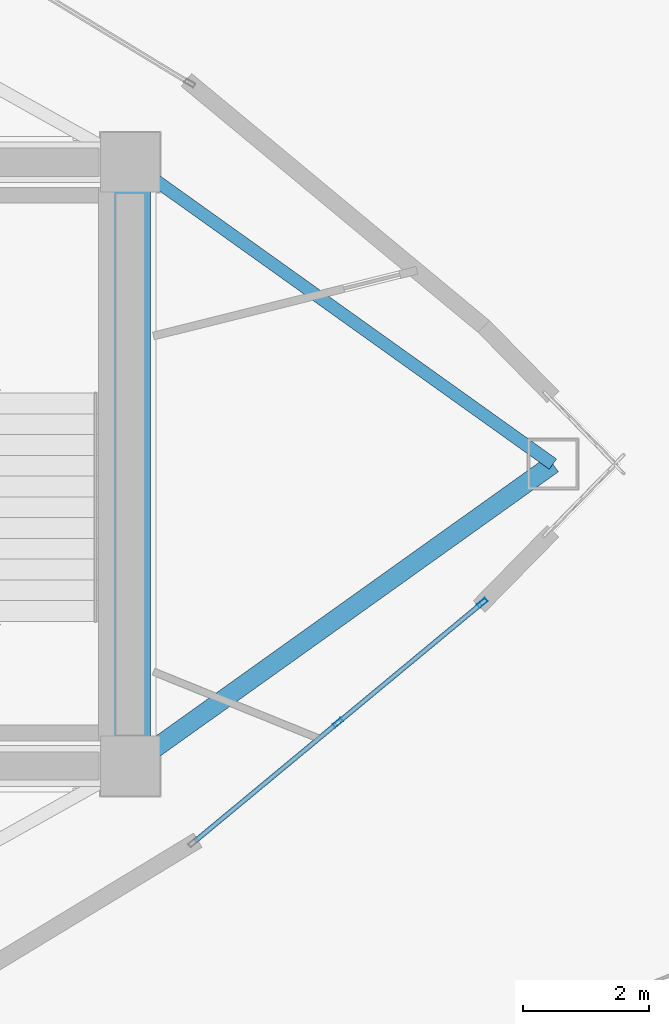
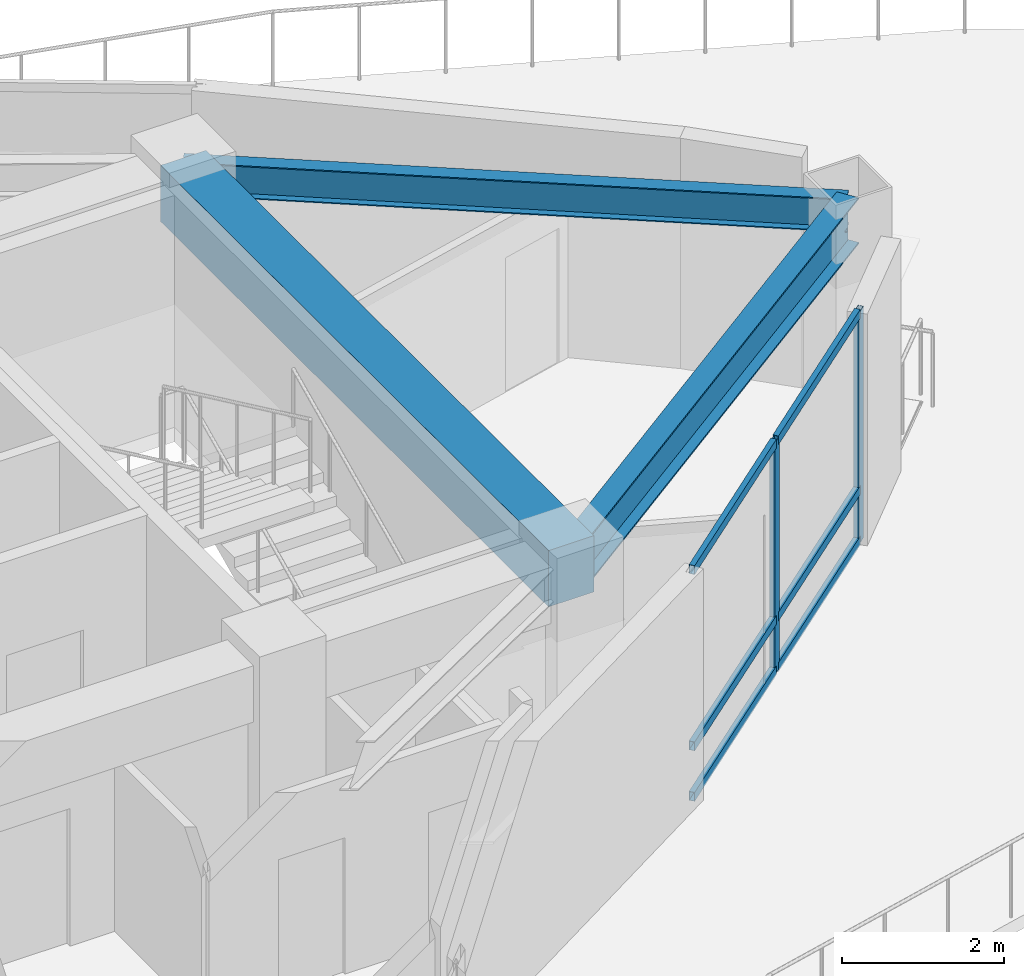
# One storey, part 6 of 16: 8 members, 3 beams, 1 element without a shape of its own.
"""IFC4 building model written with IfcOpenShell, lengths in metres."""

from ifc_helpers import new_model, si_unit, direction, frame, origin, origin_2d, place, context, subcontext, project, spatial, rectangle, hollow_rectangle, i_section, extrude, material, layer, layer_set, material_profile, profile_set, type_object, element, aggregate, save


model = new_model("IFC4")

# Units and contexts
model_context = context("Model", 3, precision=1e-05, world=origin(), true_north=direction((0.0, 1.0)))
body_context = subcontext(model_context, "Body", "Model", "MODEL_VIEW")
ifc_project = project(units=[si_unit("LENGTHUNIT", "METRE"), si_unit("AREAUNIT", "SQUARE_METRE"), si_unit("VOLUMEUNIT", "CUBIC_METRE"), si_unit("PLANEANGLEUNIT", "RADIAN"), si_unit("MASSUNIT", "GRAM", prefix="KILO")], contexts=[model_context])

# Site, building, storey
site_placement = place(None, origin())
site = spatial("IfcSite", under=ifc_project, at=site_placement, CompositionType="ELEMENT")
building_placement = place(site_placement, origin())
building = spatial("IfcBuilding", under=site, at=building_placement, Name="Menara Vayukalpa", CompositionType="ELEMENT")
storey_placement = place(building_placement, frame((0.0, 0.0, 247.139892578125)))
storey = spatial("IfcBuildingStorey", under=building, at=storey_placement, Name="L62", CompositionType="ELEMENT", Elevation=247.139892578125)

# Beams
ifc_material_1 = material(Name="Concrete C60/75", Category="concrete")
ifc_material_profile_1 = material_profile(ifc_material_1, rectangle(XDim=0.64990234375, YDim=0.85009765625, at=origin_2d()), Name="RC 650x850")
ifc_profile_set_1 = profile_set([ifc_material_profile_1], Name="Concrete C60/75")
beam_type_1 = type_object("IfcBeamType", Name="BM-CB1", PredefinedType="BEAM", material=ifc_profile_set_1)
beam_1_placement = place(storey_placement, frame((33.39990234375, 17.199951171875, 3.0751953125), z_axis=(0.0, 1.0, 0.0), x_axis=(-1.0, 0.0, 0.0)))
element("IfcBeam", 1, at=beam_1_placement, inside=storey, type_object=beam_type_1, Name="L62 Core Tie Beam CBR8", PredefinedType="BEAM", context=body_context, shape_type="SweptSolid", body=[
    extrude(rectangle(XDim=0.64990234375, YDim=0.85009765625, at=origin_2d()), origin(), (0.0, 0.0, 1.0), 9.60009765625),
])
ifc_material_2 = material(Name="Steel S355", Category="steel")
ifc_material_profile_2 = material_profile(ifc_material_2, i_section(OverallWidth=0.300048828125, OverallDepth=0.699951171875, WebThickness=0.012939453125, FlangeThickness=0.02392578125, at=origin_2d()), Name="WF 700x300x13x24")
ifc_profile_set_2 = profile_set([ifc_material_profile_2], Name="Steel S355")
beam_type_2 = type_object("IfcBeamType", Name="BM-PG5", PredefinedType="BEAM", material=ifc_profile_set_2)
beam_2_placement = place(storey_placement, frame((33.603515625, 17.34521484375, 3.150146484375), z_axis=(0.813801429135, 0.581143040859, 0.0), x_axis=(-0.581143040859, 0.813801429135, 0.0)))
element("IfcBeam", 2, at=beam_2_placement, inside=storey, type_object=beam_type_2, Name="L62 Primary Radial Girder RG01", PredefinedType="BEAM", context=body_context, shape_type="SweptSolid", body=[
    extrude(i_section(OverallWidth=0.300048828125, OverallDepth=0.699951171875, WebThickness=0.012939453125, FlangeThickness=0.02392578125, at=origin_2d()), origin(), (0.0, 0.0, 1.0), 8.009765625),
])
ifc_material_3 = material(Name="Steel S355", Category="steel")
ifc_material_profile_3 = material_profile(ifc_material_3, i_section(OverallWidth=0.199951171875, OverallDepth=0.5, WebThickness=0.010009765625, FlangeThickness=0.01611328125, at=origin_2d()), Name="WF 500x200x10x16")
ifc_profile_set_3 = profile_set([ifc_material_profile_3], Name="Steel S355")
beam_type_3 = type_object("IfcBeamType", Name="BM-SP3", PredefinedType="SPANDREL", material=ifc_profile_set_3)
beam_3_placement = place(storey_placement, frame((40.121826171875, 22.0, 3.25), z_axis=(-0.813809355401, 0.581131941181, 0.0), x_axis=(-0.581131941181, -0.813809355401, 0.0)))
element("IfcBeam", 3, at=beam_3_placement, inside=storey, type_object=beam_type_3, Name="L62 Perimeter Spandrel Beam SP01", PredefinedType="SPANDREL", context=body_context, shape_type="SweptSolid", body=[
    extrude(i_section(OverallWidth=0.199951171875, OverallDepth=0.5, WebThickness=0.010009765625, FlangeThickness=0.01611328125, at=origin_2d()), origin(), (0.0, 0.0, 1.0), 8.259765625),
])

# Curtain wall, members
ifc_material_4 = material(Name="Anodised Terracotta Aluminium Alloy 6063-T6", Category="masonry")
ifc_layer = layer(ifc_material_4, 0.1650390625)
ifc_layer_set = layer_set([ifc_layer], Name="Anodised Terracotta Aluminium Alloy 6063-T6")
curtain_wall_type = type_object("IfcCurtainWallType", Name="CW-CW6", PredefinedType="USERDEFINED", material=ifc_layer_set)
curtain_wall_placement = place(storey_placement, origin())
curtain_wall = element("IfcCurtainWall", 4, at=curtain_wall_placement, inside=storey, type_object=curtain_wall_type, Name="L62 Observation and Executive Curtain Wall CW6 19", ObjectType="UNITISED", PredefinedType="USERDEFINED")
ifc_material_5 = material(Name="Anodised Terracotta Aluminium Alloy 6063-T6", Category="masonry")
ifc_material_profile_4 = material_profile(ifc_material_5, hollow_rectangle(XDim=0.070068359375, YDim=0.1650390625, WallThickness=0.00390625, at=origin_2d()), Name="ALU 70x165x4")
ifc_profile_set_4 = profile_set([ifc_material_profile_4], Name="Anodised Terracotta Aluminium Alloy 6063-T6")
member_type_1 = type_object("IfcMemberType", Name="CWM-CW6", PredefinedType="MULLION", material=ifc_profile_set_4)
member_1_placement = place(storey_placement, frame((36.703857421875, 17.888916015625, 0.0), z_axis=(0.0, 0.0, 1.0), x_axis=(-0.638340177748, 0.769754387758, 0.0)))
member_1 = element("IfcMember", 5, at=member_1_placement, type_object=member_type_1, Name="CW6 mullion 2", PredefinedType="MULLION", context=body_context, shape_type="SweptSolid", body=[
    extrude(hollow_rectangle(XDim=0.070068359375, YDim=0.1650390625, WallThickness=0.00390625, at=origin_2d()), origin(), (0.0, 0.0, 1.0), 3.5),
])
member_2_placement = place(storey_placement, frame((39.0009765625, 19.793701171875, 0.0), z_axis=(0.0, 0.0, 1.0), x_axis=(-0.638340177748, 0.769754387758, 0.0)))
member_2 = element("IfcMember", 6, at=member_2_placement, type_object=member_type_1, Name="CW6 mullion 3", PredefinedType="MULLION", context=body_context, shape_type="SweptSolid", body=[
    extrude(hollow_rectangle(XDim=0.070068359375, YDim=0.1650390625, WallThickness=0.00390625, at=origin_2d()), origin(), (0.0, 0.0, 1.0), 3.5),
])
ifc_material_6 = material(Name="Anodised Terracotta Aluminium Alloy 6063-T6", Category="masonry")
ifc_material_profile_5 = material_profile(ifc_material_6, hollow_rectangle(XDim=0.074951171875, YDim=0.135009765625, WallThickness=0.00390625, at=origin_2d()), Name="ALU 75x135x4")
ifc_profile_set_5 = profile_set([ifc_material_profile_5], Name="Anodised Terracotta Aluminium Alloy 6063-T6")
member_type_2 = type_object("IfcMemberType", Name="CWT-CW6", PredefinedType="USERDEFINED", material=ifc_profile_set_5)
member_3_placement = place(storey_placement, frame((34.433837890625, 16.00634765625, 0.03759765625), z_axis=(0.769771013027, 0.638320129327, 0.0), x_axis=(-0.638320129327, 0.769771013027, 0.0)))
member_3 = element("IfcMember", 7, at=member_3_placement, type_object=member_type_2, Name="CW6 transom 1.1", ObjectType="TRANSOM", PredefinedType="USERDEFINED", context=body_context, shape_type="SweptSolid", body=[
    extrude(hollow_rectangle(XDim=0.074951171875, YDim=0.135009765625, WallThickness=0.00390625, at=origin_2d()), origin(), (0.0, 0.0, 1.0), 2.9140625),
])
member_4_placement = place(storey_placement, frame((34.433837890625, 16.00634765625, 0.800048828125), z_axis=(0.769771013027, 0.638320129327, 0.0), x_axis=(-0.638320129327, 0.769771013027, 0.0)))
member_4 = element("IfcMember", 8, at=member_4_placement, type_object=member_type_2, Name="CW6 transom 1.2", ObjectType="TRANSOM", PredefinedType="USERDEFINED", context=body_context, shape_type="SweptSolid", body=[
    extrude(hollow_rectangle(XDim=0.074951171875, YDim=0.135009765625, WallThickness=0.00390625, at=origin_2d()), origin(), (0.0, 0.0, 1.0), 2.9140625),
])
member_5_placement = place(storey_placement, frame((34.433837890625, 16.00634765625, 3.462646484375), z_axis=(0.769771013027, 0.638320129327, 0.0), x_axis=(-0.638320129327, 0.769771013027, 0.0)))
member_5 = element("IfcMember", 9, at=member_5_placement, type_object=member_type_2, Name="CW6 transom 1.3", ObjectType="TRANSOM", PredefinedType="USERDEFINED", context=body_context, shape_type="SweptSolid", body=[
    extrude(hollow_rectangle(XDim=0.074951171875, YDim=0.135009765625, WallThickness=0.00390625, at=origin_2d()), origin(), (0.0, 0.0, 1.0), 2.9140625),
])
member_6_placement = place(storey_placement, frame((36.730712890625, 17.9111328125, 0.03759765625), z_axis=(0.769729847439, 0.638369768991, 0.0), x_axis=(-0.638369768991, 0.769729847439, 0.0)))
member_6 = element("IfcMember", 10, at=member_6_placement, type_object=member_type_2, Name="CW6 transom 2.1", ObjectType="TRANSOM", PredefinedType="USERDEFINED", context=body_context, shape_type="SweptSolid", body=[
    extrude(hollow_rectangle(XDim=0.074951171875, YDim=0.135009765625, WallThickness=0.00390625, at=origin_2d()), origin(), (0.0, 0.0, 1.0), 2.914306640625),
])
member_7_placement = place(storey_placement, frame((36.730712890625, 17.9111328125, 0.800048828125), z_axis=(0.769729847439, 0.638369768991, 0.0), x_axis=(-0.638369768991, 0.769729847439, 0.0)))
member_7 = element("IfcMember", 11, at=member_7_placement, type_object=member_type_2, Name="CW6 transom 2.2", ObjectType="TRANSOM", PredefinedType="USERDEFINED", context=body_context, shape_type="SweptSolid", body=[
    extrude(hollow_rectangle(XDim=0.074951171875, YDim=0.135009765625, WallThickness=0.00390625, at=origin_2d()), origin(), (0.0, 0.0, 1.0), 2.914306640625),
])
member_8_placement = place(storey_placement, frame((36.730712890625, 17.9111328125, 3.462646484375), z_axis=(0.769729847439, 0.638369768991, 0.0), x_axis=(-0.638369768991, 0.769729847439, 0.0)))
member_8 = element("IfcMember", 12, at=member_8_placement, type_object=member_type_2, Name="CW6 transom 2.3", ObjectType="TRANSOM", PredefinedType="USERDEFINED", context=body_context, shape_type="SweptSolid", body=[
    extrude(hollow_rectangle(XDim=0.074951171875, YDim=0.135009765625, WallThickness=0.00390625, at=origin_2d()), origin(), (0.0, 0.0, 1.0), 2.914306640625),
])
aggregate(curtain_wall, [member_1, member_2, member_3, member_4, member_5, member_6, member_7, member_8])

save(model, "model.ifc")
